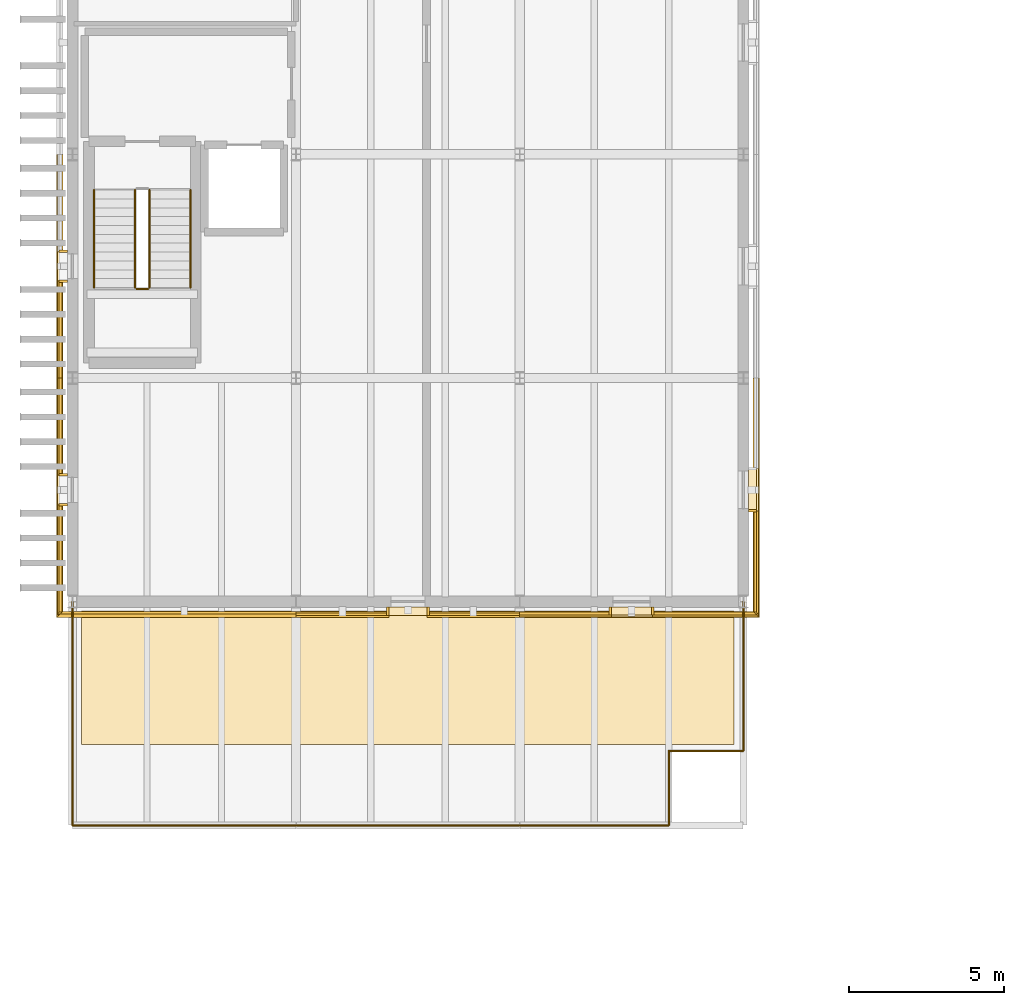
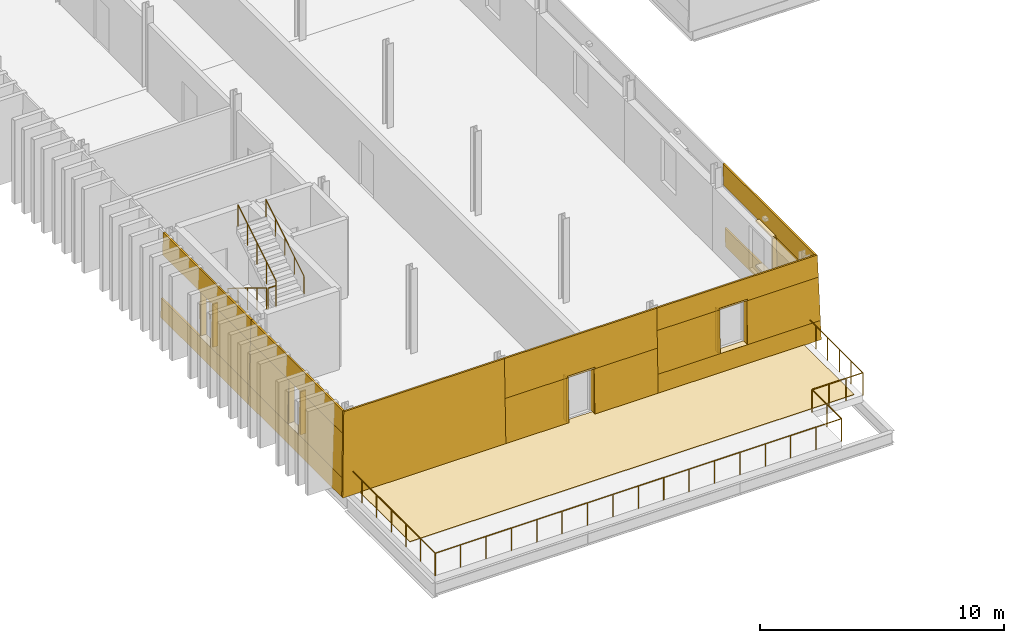
# One storey, part 57 of 66: 35 coverings, 10 railings.
"""IFC4 building model written with IfcOpenShell, lengths in metres."""

from ifc_helpers import new_model, si_unit, direction, frame, origin, origin_2d, place, context, subcontext, project, spatial, polyline, circle, outline, extrude, material, layer, layer_set, type_object, element, save


model = new_model("IFC4")

# Units and contexts
model_context = context("Model", 3, precision=1e-05, world=origin(), true_north=direction((0.0, 1.0)))
body_context = subcontext(model_context, "Body", "Model", "MODEL_VIEW")
ifc_project = project(units=[si_unit("LENGTHUNIT", "METRE"), si_unit("AREAUNIT", "SQUARE_METRE"), si_unit("VOLUMEUNIT", "CUBIC_METRE"), si_unit("PLANEANGLEUNIT", "RADIAN"), si_unit("MASSUNIT", "GRAM", prefix="KILO")], contexts=[model_context])

# Site, building, storey
site_placement = place(None, origin())
site = spatial("IfcSite", under=ifc_project, at=site_placement, CompositionType="ELEMENT")
building_placement = place(site_placement, origin())
building = spatial("IfcBuilding", under=site, at=building_placement, Name="Narikvali Park Central Library", CompositionType="ELEMENT")
storey_placement = place(building_placement, frame((0.0, 0.0, 18.60009765625)))
storey = spatial("IfcBuildingStorey", under=building, at=storey_placement, Name="L04", CompositionType="ELEMENT", Elevation=18.60009765625)

# Coverings
ifc_material_1 = material(Name="White Honed Limestone Cladding", Category="masonry")
ifc_layer_1 = layer(ifc_material_1, 0.0849609375, Name="White Honed Limestone Cladding")
ifc_layer_set_1 = layer_set([ifc_layer_1], Name="White Honed Limestone Cladding")
covering_type_1 = type_object("IfcCoveringType", Name="Battered White Limestone Facade Cladding Panel", PredefinedType="CLADDING", material=ifc_layer_set_1)
covering_1_placement = place(storey_placement, frame((-0.51220703125, 35.48779296875, 0.0), z_axis=(0.0, -0.99959954049, 0.028297679255), x_axis=(1.0, 0.0, 0.0)))
element("IfcCovering", 1, at=covering_1_placement, inside=storey, type_object=covering_type_1, Name="V5 L04 S Battered Limestone Panel B01", PredefinedType="CLADDING", context=body_context, shape_type="SweptSolid", body=[
    extrude(outline(polyline([(0.0, 0.0), (7.712158203125, 0.0), (7.712158203125, 4.201633756068099), (0.118896484375, 4.201633756068099), (0.0, 0.0)])), origin(), (0.0, 0.0, -1.0), 0.0849609375),
])
for number, where, z_axis, x_axis, name in (
    (2, (7.199951171875, 35.48779296875, 0.0), (0.0, -0.999598724093, 0.028326503353), (1.0, 0.0, 0.0), "V5 L04 S Battered Portal Pier L B02"),
    (3, (11.409912109375, 35.48779296875, 0.0), (0.0, -0.999598724093, 0.028326503353), (1.0, 0.0, 0.0), "V5 L04 S Battered Portal Pier R B02"),
):
    element("IfcCovering", number, at=place(storey_placement, frame(where, z_axis=z_axis, x_axis=x_axis)), inside=storey, type_object=covering_type_1, Name=name, PredefinedType="CLADDING", context=body_context, shape_type="SweptSolid", body=[
        extrude(outline(polyline([(0.0, 0.0), (2.989990234375, 0.0), (2.989990234375, 2.2408894493218945), (0.0, 2.2408894493218945), (0.0, 0.0)])), origin(), (0.0, 0.0, -1.0), 0.0849609375),
    ])
covering_2_placement = place(storey_placement, frame((7.199951171875, 35.55126953125, 2.239990234375), z_axis=(0.0, -0.999600472515, 0.028264736829), x_axis=(1.0, 0.0, 0.0)))
element("IfcCovering", 4, at=covering_2_placement, inside=storey, type_object=covering_type_1, Name="V5 L04 S Battered Portal Header B02", PredefinedType="CLADDING", context=body_context, shape_type="SweptSolid", body=[
    extrude(outline(polyline([(0.0, 0.0), (7.199951171875, 0.0), (7.199951171875, 1.9607443087426035), (0.0, 1.9607443087426035), (0.0, 0.0)])), origin(), (0.0, 0.0, -1.0), 0.0849609375),
])
covering_3_placement = place(storey_placement, frame((14.39990234375, 35.48779296875, 0.0), z_axis=(0.0, -0.999600632529, 0.02825907725), x_axis=(1.0, 0.0, 0.0)))
element("IfcCovering", 5, at=covering_3_placement, inside=storey, type_object=covering_type_1, Name="V5 L04 S Battered Limestone Spandrel B03", PredefinedType="CLADDING", context=body_context, shape_type="SweptSolid", body=[
    extrude(outline(polyline([(0.0, 0.0), (7.71240234375, 0.0), (7.685546875, 0.950330703044192), (0.0, 0.950330703044192), (0.0, 0.0)])), origin(), (0.0, 0.0, -1.0), 0.0849609375),
])
covering_4_placement = place(storey_placement, frame((14.39990234375, 35.57568359375, 3.099853515625), z_axis=(0.0, -0.999603049438, 0.028173454789), x_axis=(1.0, 0.0, 0.0)))
element("IfcCovering", 6, at=covering_4_placement, inside=storey, type_object=covering_type_1, Name="V5 L04 S Battered Limestone Lintel B03", PredefinedType="CLADDING", context=body_context, shape_type="SweptSolid", body=[
    extrude(outline(polyline([(0.0, 0.0), (7.62451171875, 0.0), (7.59326171875, 1.1005345140441192), (0.0, 1.1005345140441192), (0.0, 0.0)])), origin(), (0.0, 0.0, -1.0), 0.0849609375),
])
covering_5_placement = place(storey_placement, frame((14.39990234375, 35.5146484375, 0.949951171875), z_axis=(0.0, -0.99959725493, 0.028378300447), x_axis=(1.0, 0.0, 0.0)))
element("IfcCovering", 7, at=covering_5_placement, inside=storey, type_object=covering_type_1, Name="V5 L04 S Battered Limestone Jamb Pier L B03", PredefinedType="CLADDING", context=body_context, shape_type="SweptSolid", body=[
    extrude(outline(polyline([(0.0, 0.0), (2.960205078125, 0.0), (2.960205078125, 2.150768555182125), (0.0, 2.150768555182125), (0.0, 0.0)])), origin(), (0.0, 0.0, -1.0), 0.0849609375),
])
covering_6_placement = place(storey_placement, frame((18.639892578125, 35.5146484375, 0.949951171875), z_axis=(0.0, -0.99959725493, 0.028378300447), x_axis=(1.0, 0.0, 0.0)))
element("IfcCovering", 8, at=covering_6_placement, inside=storey, type_object=covering_type_1, Name="V5 L04 S Battered Limestone Jamb Pier R B03", PredefinedType="CLADDING", context=body_context, shape_type="SweptSolid", body=[
    extrude(outline(polyline([(0.0, 0.0), (3.445556640625, 0.0), (3.384521484375, 2.150768555182125), (0.0, 2.150768555182125), (0.0, 0.0)])), origin(), (0.0, 0.0, -1.0), 0.0849609375),
])
covering_7_placement = place(storey_placement, frame((22.1123046875, 35.57275390625, 0.0), z_axis=(0.999600632529, 0.0, 0.02825907725), x_axis=(0.0, 1.0, 0.0)))
element("IfcCovering", 9, at=covering_7_placement, inside=storey, type_object=covering_type_1, Name="V5 L04 E Battered Limestone Spandrel B01", PredefinedType="CLADDING", context=body_context, shape_type="SweptSolid", body=[
    extrude(outline(polyline([(0.0, 0.0), (7.627197265625, 0.0), (7.627197265625, 0.950330703044192), (0.02685546875, 0.950330703044192), (0.0, 0.0)])), origin(), (0.0, 0.0, -1.0), 0.0849609375),
])
covering_8_placement = place(storey_placement, frame((22.0244140625, 35.66064453125, 3.099853515625), z_axis=(0.999596777432, 0.0, 0.028395114849), x_axis=(0.0, 1.0, 0.0)))
element("IfcCovering", 10, at=covering_8_placement, inside=storey, type_object=covering_type_1, Name="V5 L04 E Battered Limestone Lintel B01", PredefinedType="CLADDING", context=body_context, shape_type="SweptSolid", body=[
    extrude(outline(polyline([(0.0, 0.0), (7.539306640625, 0.0), (7.539306640625, 1.1005414193871774), (0.03125, 1.1005414193871774), (0.0, 0.0)])), origin(), (0.0, 0.0, -1.0), 0.0849609375),
])
covering_9_placement = place(storey_placement, frame((22.08544921875, 35.599609375, 0.949951171875), z_axis=(0.99959725493, 0.0, 0.028378300447), x_axis=(0.0, 1.0, 0.0)))
element("IfcCovering", 11, at=covering_9_placement, inside=storey, type_object=covering_type_1, Name="V5 L04 E Battered Limestone Jamb Pier L B01", PredefinedType="CLADDING", context=body_context, shape_type="SweptSolid", body=[
    extrude(outline(polyline([(0.0, 0.0), (3.3603515625, 0.0), (3.3603515625, 2.150768555182125), (0.06103515625, 2.150768555182125), (0.0, 0.0)])), origin(), (0.0, 0.0, -1.0), 0.0849609375),
])
covering_10_placement = place(storey_placement, frame((-0.51220703125, 50.39990234375, 0.0), z_axis=(-0.999600632529, 0.0, 0.02825907725), x_axis=(0.0, -1.0, 0.0)))
element("IfcCovering", 12, at=covering_10_placement, inside=storey, type_object=covering_type_1, Name="V5 L04 W Battered Limestone Spandrel B09", PredefinedType="CLADDING", context=body_context, shape_type="SweptSolid", body=[
    extrude(outline(polyline([(0.0, 0.0), (7.199951171875, 0.0), (7.199951171875, 0.9503307030441919), (0.0, 0.9503307030441919), (0.0, 0.0)])), origin(), (0.0, 0.0, -1.0), 0.0849609375),
])
covering_11_placement = place(storey_placement, frame((-0.42431640625, 50.39990234375, 3.099853515625), z_axis=(-0.999603049438, 0.0, 0.028173454789), x_axis=(0.0, -1.0, 0.0)))
element("IfcCovering", 13, at=covering_11_placement, inside=storey, type_object=covering_type_1, Name="V5 L04 W Battered Limestone Lintel B09", PredefinedType="CLADDING", context=body_context, shape_type="SweptSolid", body=[
    extrude(outline(polyline([(0.0, 0.0), (7.199951171875, 0.0), (7.199951171875, 1.1005345140441192), (0.0, 1.1005345140441192), (0.0, 0.0)])), origin(), (0.0, 0.0, -1.0), 0.0849609375),
])
covering_12_placement = place(storey_placement, frame((-0.4853515625, 46.360107421875, 0.949951171875), z_axis=(-0.99959725493, 0.0, 0.028378300447), x_axis=(0.0, -1.0, 0.0)))
element("IfcCovering", 14, at=covering_12_placement, inside=storey, type_object=covering_type_1, Name="V5 L04 W Battered Limestone Jamb Pier R B09", PredefinedType="CLADDING", context=body_context, shape_type="SweptSolid", body=[
    extrude(outline(polyline([(0.0, 0.0), (3.16015625, 0.0), (3.16015625, 2.150768555182125), (0.0, 2.150768555182125), (0.0, 0.0)])), origin(), (0.0, 0.0, -1.0), 0.0849609375),
])
covering_13_placement = place(storey_placement, frame((-0.51220703125, 43.199951171875, 0.0), z_axis=(-0.999600632529, 0.0, 0.02825907725), x_axis=(0.0, -1.0, 0.0)))
element("IfcCovering", 15, at=covering_13_placement, inside=storey, type_object=covering_type_1, Name="V5 L04 W Battered Limestone Spandrel B10", PredefinedType="CLADDING", context=body_context, shape_type="SweptSolid", body=[
    extrude(outline(polyline([(0.0, 0.0), (7.627197265625, 0.0), (7.600341796875, 0.950330703044192), (0.0, 0.950330703044192), (0.0, 0.0)])), origin(), (0.0, 0.0, -1.0), 0.0849609375),
])
covering_14_placement = place(storey_placement, frame((-0.42431640625, 43.199951171875, 3.099853515625), z_axis=(-0.999603049438, 0.0, 0.028173454789), x_axis=(0.0, -1.0, 0.0)))
element("IfcCovering", 16, at=covering_14_placement, inside=storey, type_object=covering_type_1, Name="V5 L04 W Battered Limestone Lintel B10", PredefinedType="CLADDING", context=body_context, shape_type="SweptSolid", body=[
    extrude(outline(polyline([(0.0, 0.0), (7.539306640625, 0.0), (7.508056640625, 1.1005345140441192), (0.0, 1.1005345140441192), (0.0, 0.0)])), origin(), (0.0, 0.0, -1.0), 0.0849609375),
])
covering_15_placement = place(storey_placement, frame((-0.4853515625, 43.199951171875, 0.949951171875), z_axis=(-0.99959725493, 0.0, 0.028378300447), x_axis=(0.0, -1.0, 0.0)))
element("IfcCovering", 17, at=covering_15_placement, inside=storey, type_object=covering_type_1, Name="V5 L04 W Battered Limestone Jamb Pier L B10", PredefinedType="CLADDING", context=body_context, shape_type="SweptSolid", body=[
    extrude(outline(polyline([(0.0, 0.0), (3.159912109375, 0.0), (3.159912109375, 2.150768555182125), (0.0, 2.150768555182125), (0.0, 0.0)])), origin(), (0.0, 0.0, -1.0), 0.0849609375),
])
covering_16_placement = place(storey_placement, frame((-0.4853515625, 39.159912109375, 0.949951171875), z_axis=(-0.99959725493, 0.0, 0.028378300447), x_axis=(0.0, -1.0, 0.0)))
element("IfcCovering", 18, at=covering_16_placement, inside=storey, type_object=covering_type_1, Name="V5 L04 W Battered Limestone Jamb Pier R B10", PredefinedType="CLADDING", context=body_context, shape_type="SweptSolid", body=[
    extrude(outline(polyline([(0.0, 0.0), (3.560302734375, 0.0), (3.499267578125, 2.150768555182125), (0.0, 2.150768555182125), (0.0, 0.0)])), origin(), (0.0, 0.0, -1.0), 0.0849609375),
])
ifc_layer_2 = layer(ifc_material_1, 0.080078125, Name="White Honed Limestone Cladding")
ifc_layer_set_2 = layer_set([ifc_layer_2], Name="White Honed Limestone Cladding")
covering_type_2 = type_object("IfcCoveringType", Name="Deep Carved White Limestone Window Reveal", PredefinedType="CLADDING", material=ifc_layer_set_2)
covering_17_placement = place(storey_placement, frame((0.0, 0.0, 2.239990234375)))
element("IfcCovering", 19, at=covering_17_placement, inside=storey, type_object=covering_type_2, Name="Deep Stone Reveal Head V5-RVL-L04-S-B02", PredefinedType="CLADDING", context=body_context, shape_type="SweptSolid", body=[
    extrude(outline(polyline([(10.14990234375, 35.8349609375), (11.449951171875, 35.8349609375), (11.449951171875, 35.55126953125), (10.14990234375, 35.55126953125), (10.14990234375, 35.8349609375)])), origin(), (0.0, 0.0, 1.0), 0.079833984375),
])
covering_18_placement = place(storey_placement, frame((0.0, 0.0, 0.02001953125)))
element("IfcCovering", 20, at=covering_18_placement, inside=storey, type_object=covering_type_2, Name="Deep Stone Reveal Jamb L V5-RVL-L04-S-B02", PredefinedType="CLADDING", context=body_context, shape_type="SweptSolid", body=[
    extrude(outline(polyline([(10.110107421875, 35.8349609375), (10.18994140625, 35.8349609375), (10.18994140625, 35.55126953125), (10.110107421875, 35.55126953125), (10.110107421875, 35.8349609375)])), origin(), (0.0, 0.0, 1.0), 2.219970703125),
])
covering_19_placement = place(storey_placement, frame((0.0, 0.0, 0.02001953125)))
element("IfcCovering", 21, at=covering_19_placement, inside=storey, type_object=covering_type_2, Name="Deep Stone Reveal Jamb R V5-RVL-L04-S-B02", PredefinedType="CLADDING", context=body_context, shape_type="SweptSolid", body=[
    extrude(outline(polyline([(11.409912109375, 35.8349609375), (11.489990234375, 35.8349609375), (11.489990234375, 35.55126953125), (11.409912109375, 35.55126953125), (11.409912109375, 35.8349609375)])), origin(), (0.0, 0.0, 1.0), 2.219970703125),
])
covering_20_placement = place(storey_placement, frame((0.0, 0.0, 3.099853515625)))
element("IfcCovering", 22, at=covering_20_placement, inside=storey, type_object=covering_type_2, Name="Deep Stone Reveal Head V5-RVL-L04-S-B03", PredefinedType="CLADDING", context=body_context, shape_type="SweptSolid", body=[
    extrude(outline(polyline([(17.320068359375, 35.8349609375), (18.679931640625, 35.8349609375), (18.679931640625, 35.57568359375), (17.320068359375, 35.57568359375), (17.320068359375, 35.8349609375)])), origin(), (0.0, 0.0, 1.0), 0.080078125),
])
covering_21_placement = place(storey_placement, frame((0.0, 0.0, 0.869873046875)))
element("IfcCovering", 23, at=covering_21_placement, inside=storey, type_object=covering_type_2, Name="Deep Stone Reveal Sill V5-RVL-L04-S-B03", PredefinedType="CLADDING", context=body_context, shape_type="SweptSolid", body=[
    extrude(outline(polyline([(17.320068359375, 35.8349609375), (18.679931640625, 35.8349609375), (18.679931640625, 35.5146484375), (17.320068359375, 35.5146484375), (17.320068359375, 35.8349609375)])), origin(), (0.0, 0.0, 1.0), 0.080078125),
])
covering_22_placement = place(storey_placement, frame((0.0, 0.0, 0.949951171875)))
element("IfcCovering", 24, at=covering_22_placement, inside=storey, type_object=covering_type_2, Name="Deep Stone Reveal Jamb L V5-RVL-L04-S-B03", PredefinedType="CLADDING", context=body_context, shape_type="SweptSolid", body=[
    extrude(outline(polyline([(17.280029296875, 35.8349609375), (17.360107421875, 35.8349609375), (17.360107421875, 35.57568359375), (17.280029296875, 35.57568359375), (17.280029296875, 35.8349609375)])), origin(), (0.0, 0.0, 1.0), 2.14990234375),
])
covering_23_placement = place(storey_placement, frame((0.0, 0.0, 0.949951171875)))
element("IfcCovering", 25, at=covering_23_placement, inside=storey, type_object=covering_type_2, Name="Deep Stone Reveal Jamb R V5-RVL-L04-S-B03", PredefinedType="CLADDING", context=body_context, shape_type="SweptSolid", body=[
    extrude(outline(polyline([(18.639892578125, 35.8349609375), (18.719970703125, 35.8349609375), (18.719970703125, 35.57568359375), (18.639892578125, 35.57568359375), (18.639892578125, 35.8349609375)])), origin(), (0.0, 0.0, 1.0), 2.14990234375),
])
covering_24_placement = place(storey_placement, frame((0.0, 0.0, 3.099853515625)))
element("IfcCovering", 26, at=covering_24_placement, inside=storey, type_object=covering_type_2, Name="Deep Stone Reveal Head V5-RVL-L04-E-B01", PredefinedType="CLADDING", context=body_context, shape_type="SweptSolid", body=[
    extrude(outline(polyline([(21.764892578125, 38.919921875), (21.764892578125, 40.280029296875), (22.0244140625, 40.280029296875), (22.0244140625, 38.919921875), (21.764892578125, 38.919921875)])), origin(), (0.0, 0.0, 1.0), 0.080078125),
])
covering_25_placement = place(storey_placement, frame((0.0, 0.0, 0.869873046875)))
element("IfcCovering", 27, at=covering_25_placement, inside=storey, type_object=covering_type_2, Name="Deep Stone Reveal Sill V5-RVL-L04-E-B01", PredefinedType="CLADDING", context=body_context, shape_type="SweptSolid", body=[
    extrude(outline(polyline([(21.764892578125, 38.919921875), (21.764892578125, 40.280029296875), (22.08544921875, 40.280029296875), (22.08544921875, 38.919921875), (21.764892578125, 38.919921875)])), origin(), (0.0, 0.0, 1.0), 0.080078125),
])
covering_26_placement = place(storey_placement, frame((0.0, 0.0, 0.949951171875)))
element("IfcCovering", 28, at=covering_26_placement, inside=storey, type_object=covering_type_2, Name="Deep Stone Reveal Jamb L V5-RVL-L04-E-B01", PredefinedType="CLADDING", context=body_context, shape_type="SweptSolid", body=[
    extrude(outline(polyline([(21.764892578125, 38.8798828125), (21.764892578125, 38.9599609375), (22.0244140625, 38.9599609375), (22.0244140625, 38.8798828125), (21.764892578125, 38.8798828125)])), origin(), (0.0, 0.0, 1.0), 2.14990234375),
])
covering_27_placement = place(storey_placement, frame((0.0, 0.0, 0.869873046875)))
element("IfcCovering", 29, at=covering_27_placement, inside=storey, type_object=covering_type_2, Name="Deep Stone Reveal Sill V5-RVL-L04-W-B09", PredefinedType="CLADDING", context=body_context, shape_type="SweptSolid", body=[
    extrude(outline(polyline([(-0.1650390625, 47.280029296875), (-0.1650390625, 46.320068359375), (-0.4853515625, 46.320068359375), (-0.4853515625, 47.280029296875), (-0.1650390625, 47.280029296875)])), origin(), (0.0, 0.0, 1.0), 0.080078125),
])
covering_28_placement = place(storey_placement, frame((0.0, 0.0, 0.949951171875)))
element("IfcCovering", 30, at=covering_28_placement, inside=storey, type_object=covering_type_2, Name="Deep Stone Reveal Jamb L V5-RVL-L04-W-B09", PredefinedType="CLADDING", context=body_context, shape_type="SweptSolid", body=[
    extrude(outline(polyline([(-0.1650390625, 47.320068359375), (-0.1650390625, 47.239990234375), (-0.42431640625, 47.239990234375), (-0.42431640625, 47.320068359375), (-0.1650390625, 47.320068359375)])), origin(), (0.0, 0.0, 1.0), 2.14990234375),
])
covering_29_placement = place(storey_placement, frame((0.0, 0.0, 0.949951171875)))
element("IfcCovering", 31, at=covering_29_placement, inside=storey, type_object=covering_type_2, Name="Deep Stone Reveal Jamb R V5-RVL-L04-W-B09", PredefinedType="CLADDING", context=body_context, shape_type="SweptSolid", body=[
    extrude(outline(polyline([(-0.1650390625, 46.360107421875), (-0.1650390625, 46.280029296875), (-0.42431640625, 46.280029296875), (-0.42431640625, 46.360107421875), (-0.1650390625, 46.360107421875)])), origin(), (0.0, 0.0, 1.0), 2.14990234375),
])
covering_30_placement = place(storey_placement, frame((0.0, 0.0, 0.869873046875)))
element("IfcCovering", 32, at=covering_30_placement, inside=storey, type_object=covering_type_2, Name="Deep Stone Reveal Sill V5-RVL-L04-W-B10", PredefinedType="CLADDING", context=body_context, shape_type="SweptSolid", body=[
    extrude(outline(polyline([(-0.1650390625, 40.080078125), (-0.1650390625, 39.1201171875), (-0.4853515625, 39.1201171875), (-0.4853515625, 40.080078125), (-0.1650390625, 40.080078125)])), origin(), (0.0, 0.0, 1.0), 0.080078125),
])
covering_31_placement = place(storey_placement, frame((0.0, 0.0, 0.949951171875)))
element("IfcCovering", 33, at=covering_31_placement, inside=storey, type_object=covering_type_2, Name="Deep Stone Reveal Jamb L V5-RVL-L04-W-B10", PredefinedType="CLADDING", context=body_context, shape_type="SweptSolid", body=[
    extrude(outline(polyline([(-0.1650390625, 40.1201171875), (-0.1650390625, 40.0400390625), (-0.42431640625, 40.0400390625), (-0.42431640625, 40.1201171875), (-0.1650390625, 40.1201171875)])), origin(), (0.0, 0.0, 1.0), 2.14990234375),
])
covering_32_placement = place(storey_placement, frame((0.0, 0.0, 0.949951171875)))
element("IfcCovering", 34, at=covering_32_placement, inside=storey, type_object=covering_type_2, Name="Deep Stone Reveal Jamb R V5-RVL-L04-W-B10", PredefinedType="CLADDING", context=body_context, shape_type="SweptSolid", body=[
    extrude(outline(polyline([(-0.1650390625, 39.159912109375), (-0.1650390625, 39.080078125), (-0.42431640625, 39.080078125), (-0.42431640625, 39.159912109375), (-0.1650390625, 39.159912109375)])), origin(), (0.0, 0.0, 1.0), 2.14990234375),
])
ifc_material_2 = material(Name="Root-Resistant EPDM Waterproofing Membrane")
ifc_layer_3 = layer(ifc_material_2, 0.02490234375, Name="Root-Resistant EPDM Waterproofing Membrane")
ifc_layer_set_3 = layer_set([ifc_layer_3], Name="Root-Resistant EPDM Waterproofing Membrane")
covering_type_3 = type_object("IfcCoveringType", Name="Planted Roof Waterproofing Membrane", PredefinedType="MEMBRANE", material=ifc_layer_set_3)
covering_33_placement = place(storey_placement, origin())
element("IfcCovering", 35, at=covering_33_placement, inside=storey, type_object=covering_type_3, Name="V5 L04 Terrace EPDM Membrane", PredefinedType="MEMBRANE", context=body_context, shape_type="SweptSolid", body=[
    extrude(outline(polyline([(0.300048828125, 31.39990234375), (21.300048828125, 31.39990234375), (21.300048828125, 35.699951171875), (0.300048828125, 35.699951171875), (0.300048828125, 31.39990234375)])), origin(), (0.0, 0.0, 1.0), 0.02490234375),
])

# Railings
ifc_material_3 = material(Name="Brushed Stainless Steel S355", Category="steel")
ifc_layer_4 = layer(ifc_material_3, 0.044921875, Name="Brushed Stainless Steel S355")
ifc_layer_set_4 = layer_set([ifc_layer_4], Name="Brushed Stainless Steel S355")
railing_type_1 = type_object("IfcRailingType", Name="Stair Tubular Steel Handrail 900", PredefinedType="HANDRAIL", material=ifc_layer_set_4)
railing_1_placement = place(storey_placement, frame((0.699951171875, 49.25, 0.1748046875)))
element("IfcRailing", 36, at=railing_1_placement, inside=storey, type_object=railing_type_1, Name="L04 ST-09 stair handrail 1", PredefinedType="HANDRAIL", context=body_context, shape_type="SweptSolid", body=[
    extrude(circle(Radius=0.02392578125, at=origin_2d()), frame((0.0, 0.0, 0.8759765625), z_axis=(0.0, -0.852166034122, 0.523271488128), x_axis=(1.0, 0.0, 0.0)), (0.0, 0.0, 1.0), 3.678955078125),
    extrude(circle(Radius=0.02099609375, at=origin_2d()), origin(), (0.0, 0.0, 1.0), 0.851806640625),
    extrude(circle(Radius=0.02099609375, at=origin_2d()), frame((0.0, -0.78369140625, 0.481201171875)), (0.0, 0.0, 1.0), 0.851806640625),
    extrude(circle(Radius=0.02099609375, at=origin_2d()), frame((0.0, -1.5673828125, 0.96240234375)), (0.0, 0.0, 1.0), 0.851806640625),
    extrude(circle(Radius=0.02099609375, at=origin_2d()), frame((0.0, -2.351318359375, 1.44384765625)), (0.0, 0.0, 1.0), 0.851806640625),
    extrude(circle(Radius=0.02099609375, at=origin_2d()), frame((0.0, -3.135009765625, 1.925048828125)), (0.0, 0.0, 1.0), 0.851806640625),
])
railing_2_placement = place(storey_placement, frame((3.800048828125, 46.114990234375, 2.27490234375)))
element("IfcRailing", 37, at=railing_2_placement, inside=storey, type_object=railing_type_1, Name="L04 ST-09 stair handrail 2", PredefinedType="HANDRAIL", context=body_context, shape_type="SweptSolid", body=[
    extrude(circle(Radius=0.02392578125, at=origin_2d()), frame((0.0, 0.0, 0.8759765625), z_axis=(0.0, 0.852166034122, 0.523271488128), x_axis=(-1.0, 0.0, 0.0)), (0.0, 0.0, 1.0), 3.678955078125),
    extrude(circle(Radius=0.02099609375, at=origin_2d()), origin(), (0.0, 0.0, 1.0), 0.851806640625),
    extrude(circle(Radius=0.02099609375, at=origin_2d()), frame((0.0, 0.78369140625, 0.481201171875)), (0.0, 0.0, 1.0), 0.851806640625),
    extrude(circle(Radius=0.02099609375, at=origin_2d()), frame((0.0, 1.5673828125, 0.96240234375)), (0.0, 0.0, 1.0), 0.851806640625),
    extrude(circle(Radius=0.02099609375, at=origin_2d()), frame((0.0, 2.351318359375, 1.44384765625)), (0.0, 0.0, 1.0), 0.851806640625),
    extrude(circle(Radius=0.02099609375, at=origin_2d()), frame((0.0, 3.135009765625, 1.925048828125)), (0.0, 0.0, 1.0), 0.851806640625),
])
ifc_material_4 = material(Name="Powder-Coated Steel S275", Category="steel")
ifc_layer_5 = layer(ifc_material_4, 0.050048828125, Name="Powder-Coated Steel S275")
ifc_layer_set_5 = layer_set([ifc_layer_5], Name="Powder-Coated Steel S275")
railing_type_2 = type_object("IfcRailingType", Name="Stair Well Steel Guardrail 1100", PredefinedType="GUARDRAIL", material=ifc_layer_set_5)
railing_3_placement = place(storey_placement, frame((2.02001953125, 49.25, 0.1748046875)))
element("IfcRailing", 38, at=railing_3_placement, inside=storey, type_object=railing_type_2, Name="L04 ST-09 stair guard 1", PredefinedType="GUARDRAIL", context=body_context, shape_type="SweptSolid", body=[
    extrude(circle(Radius=0.02392578125, at=origin_2d()), frame((0.0, 0.0, 1.076171875), z_axis=(0.0, -0.852166034122, 0.523271488128), x_axis=(1.0, 0.0, 0.0)), (0.0, 0.0, 1.0), 3.678955078125),
    extrude(circle(Radius=0.02099609375, at=origin_2d()), origin(), (0.0, 0.0, 1.0), 1.052001953125),
    extrude(circle(Radius=0.02099609375, at=origin_2d()), frame((0.0, -0.78369140625, 0.481201171875)), (0.0, 0.0, 1.0), 1.052001953125),
    extrude(circle(Radius=0.02099609375, at=origin_2d()), frame((0.0, -1.5673828125, 0.96240234375)), (0.0, 0.0, 1.0), 1.052001953125),
    extrude(circle(Radius=0.02099609375, at=origin_2d()), frame((0.0, -2.351318359375, 1.44384765625)), (0.0, 0.0, 1.0), 1.052001953125),
    extrude(circle(Radius=0.02099609375, at=origin_2d()), frame((0.0, -3.135009765625, 1.925048828125)), (0.0, 0.0, 1.0), 1.052001953125),
])
railing_4_placement = place(storey_placement, frame((2.070068359375, 46.06494140625, 2.099853515625)))
element("IfcRailing", 39, at=railing_4_placement, inside=storey, type_object=railing_type_2, Name="L04 ST-09 stair guard 2", PredefinedType="GUARDRAIL", context=body_context, shape_type="SweptSolid", body=[
    extrude(circle(Radius=0.02392578125, at=origin_2d()), frame((0.0, 0.0, 1.076171875), z_axis=(1.0, 0.0, 0.0), x_axis=(0.0, 1.0, 0.0)), (0.0, 0.0, 1.0), 0.35986328125),
    extrude(circle(Radius=0.02099609375, at=origin_2d()), origin(), (0.0, 0.0, 1.0), 1.052001953125),
    extrude(circle(Radius=0.02099609375, at=origin_2d()), frame((0.35986328125, 0.0, 0.0)), (0.0, 0.0, 1.0), 1.052001953125),
])
railing_5_placement = place(storey_placement, frame((2.47998046875, 46.114990234375, 2.27490234375)))
element("IfcRailing", 40, at=railing_5_placement, inside=storey, type_object=railing_type_2, Name="L04 ST-09 stair guard 3", PredefinedType="GUARDRAIL", context=body_context, shape_type="SweptSolid", body=[
    extrude(circle(Radius=0.02392578125, at=origin_2d()), frame((0.0, 0.0, 1.076171875), z_axis=(0.0, 0.852166034122, 0.523271488128), x_axis=(-1.0, 0.0, 0.0)), (0.0, 0.0, 1.0), 3.678955078125),
    extrude(circle(Radius=0.02099609375, at=origin_2d()), origin(), (0.0, 0.0, 1.0), 1.052001953125),
    extrude(circle(Radius=0.02099609375, at=origin_2d()), frame((0.0, 0.78369140625, 0.481201171875)), (0.0, 0.0, 1.0), 1.052001953125),
    extrude(circle(Radius=0.02099609375, at=origin_2d()), frame((0.0, 1.5673828125, 0.96240234375)), (0.0, 0.0, 1.0), 1.052001953125),
    extrude(circle(Radius=0.02099609375, at=origin_2d()), frame((0.0, 2.351318359375, 1.44384765625)), (0.0, 0.0, 1.0), 1.052001953125),
    extrude(circle(Radius=0.02099609375, at=origin_2d()), frame((0.0, 3.135009765625, 1.925048828125)), (0.0, 0.0, 1.0), 1.052001953125),
])
ifc_material_5 = material(Name="Anodised Bronze and White Limestone", Category="masonry")
ifc_layer_6 = layer(ifc_material_5, 0.080078125, Name="Anodised Bronze and White Limestone")
ifc_layer_set_6 = layer_set([ifc_layer_6], Name="Anodised Bronze and White Limestone")
railing_type_3 = type_object("IfcRailingType", Name="Terrace Stone and Bronze Balustrade 1150", PredefinedType="BALUSTRADE", material=ifc_layer_set_6)
railing_6_placement = place(storey_placement, frame((0.0, 28.800048828125, 0.0)))
element("IfcRailing", 41, at=railing_6_placement, inside=storey, type_object=railing_type_3, Name="V5 L04 Roof Garden Balustrade 1", PredefinedType="BALUSTRADE", context=body_context, shape_type="SweptSolid", body=[
    extrude(circle(Radius=0.02392578125, at=origin_2d()), frame((0.0, 0.0, 1.1259765625), z_axis=(1.0, 0.0, 0.0), x_axis=(0.0, 1.0, 0.0)), (0.0, 0.0, 1.0), 19.199951171875),
    extrude(circle(Radius=0.02099609375, at=origin_2d()), origin(), (0.0, 0.0, 1.0), 1.101806640625),
    extrude(circle(Radius=0.02099609375, at=origin_2d()), frame((1.199951171875, 0.0, 0.0)), (0.0, 0.0, 1.0), 1.101806640625),
    extrude(circle(Radius=0.02099609375, at=origin_2d()), frame((2.39990234375, 0.0, 0.0)), (0.0, 0.0, 1.0), 1.101806640625),
    extrude(circle(Radius=0.02099609375, at=origin_2d()), frame((3.60009765625, 0.0, 0.0)), (0.0, 0.0, 1.0), 1.101806640625),
    extrude(circle(Radius=0.02099609375, at=origin_2d()), frame((4.800048828125, 0.0, 0.0)), (0.0, 0.0, 1.0), 1.101806640625),
    extrude(circle(Radius=0.02099609375, at=origin_2d()), frame((6.0, 0.0, 0.0)), (0.0, 0.0, 1.0), 1.101806640625),
    extrude(circle(Radius=0.02099609375, at=origin_2d()), frame((7.199951171875, 0.0, 0.0)), (0.0, 0.0, 1.0), 1.101806640625),
    extrude(circle(Radius=0.02099609375, at=origin_2d()), frame((8.39990234375, 0.0, 0.0)), (0.0, 0.0, 1.0), 1.101806640625),
    extrude(circle(Radius=0.02099609375, at=origin_2d()), frame((9.60009765625, 0.0, 0.0)), (0.0, 0.0, 1.0), 1.101806640625),
    extrude(circle(Radius=0.02099609375, at=origin_2d()), frame((10.800048828125, 0.0, 0.0)), (0.0, 0.0, 1.0), 1.101806640625),
    extrude(circle(Radius=0.02099609375, at=origin_2d()), frame((12.0, 0.0, 0.0)), (0.0, 0.0, 1.0), 1.101806640625),
    extrude(circle(Radius=0.02099609375, at=origin_2d()), frame((13.199951171875, 0.0, 0.0)), (0.0, 0.0, 1.0), 1.101806640625),
    extrude(circle(Radius=0.02099609375, at=origin_2d()), frame((14.39990234375, 0.0, 0.0)), (0.0, 0.0, 1.0), 1.101806640625),
    extrude(circle(Radius=0.02099609375, at=origin_2d()), frame((15.599853515625, 0.0, 0.0)), (0.0, 0.0, 1.0), 1.101806640625),
    extrude(circle(Radius=0.02099609375, at=origin_2d()), frame((16.800048828125, 0.0, 0.0)), (0.0, 0.0, 1.0), 1.101806640625),
    extrude(circle(Radius=0.02099609375, at=origin_2d()), frame((18.0, 0.0, 0.0)), (0.0, 0.0, 1.0), 1.101806640625),
    extrude(circle(Radius=0.02099609375, at=origin_2d()), frame((19.199951171875, 0.0, 0.0)), (0.0, 0.0, 1.0), 1.101806640625),
])
railing_7_placement = place(storey_placement, frame((19.199951171875, 28.800048828125, 0.0)))
element("IfcRailing", 42, at=railing_7_placement, inside=storey, type_object=railing_type_3, Name="V5 L04 Roof Garden Balustrade 2", PredefinedType="BALUSTRADE", context=body_context, shape_type="SweptSolid", body=[
    extrude(circle(Radius=0.02392578125, at=origin_2d()), frame((0.0, 0.0, 1.1259765625), z_axis=(0.0, 1.0, 0.0), x_axis=(-1.0, 0.0, 0.0)), (0.0, 0.0, 1.0), 2.39990234375),
    extrude(circle(Radius=0.02099609375, at=origin_2d()), origin(), (0.0, 0.0, 1.0), 1.101806640625),
    extrude(circle(Radius=0.02099609375, at=origin_2d()), frame((0.0, 1.199951171875, 0.0)), (0.0, 0.0, 1.0), 1.101806640625),
    extrude(circle(Radius=0.02099609375, at=origin_2d()), frame((0.0, 2.39990234375, 0.0)), (0.0, 0.0, 1.0), 1.101806640625),
])
railing_8_placement = place(storey_placement, frame((19.199951171875, 31.199951171875, 0.0)))
element("IfcRailing", 43, at=railing_8_placement, inside=storey, type_object=railing_type_3, Name="V5 L04 Roof Garden Balustrade 3", PredefinedType="BALUSTRADE", context=body_context, shape_type="SweptSolid", body=[
    extrude(circle(Radius=0.02392578125, at=origin_2d()), frame((0.0, 0.0, 1.1259765625), z_axis=(1.0, 0.0, 0.0), x_axis=(0.0, 1.0, 0.0)), (0.0, 0.0, 1.0), 2.400146484375),
    extrude(circle(Radius=0.02099609375, at=origin_2d()), origin(), (0.0, 0.0, 1.0), 1.101806640625),
    extrude(circle(Radius=0.02099609375, at=origin_2d()), frame((0.800048828125, 0.0, 0.0)), (0.0, 0.0, 1.0), 1.101806640625),
    extrude(circle(Radius=0.02099609375, at=origin_2d()), frame((1.60009765625, 0.0, 0.0)), (0.0, 0.0, 1.0), 1.101806640625),
    extrude(circle(Radius=0.02099609375, at=origin_2d()), frame((2.400146484375, 0.0, 0.0)), (0.0, 0.0, 1.0), 1.101806640625),
])
railing_9_placement = place(storey_placement, frame((21.60009765625, 31.199951171875, 0.0)))
element("IfcRailing", 44, at=railing_9_placement, inside=storey, type_object=railing_type_3, Name="V5 L04 Roof Garden Balustrade 4", PredefinedType="BALUSTRADE", context=body_context, shape_type="SweptSolid", body=[
    extrude(circle(Radius=0.02392578125, at=origin_2d()), frame((0.0, 0.0, 1.1259765625), z_axis=(0.0, 1.0, 0.0), x_axis=(-1.0, 0.0, 0.0)), (0.0, 0.0, 1.0), 4.800048828125),
    extrude(circle(Radius=0.02099609375, at=origin_2d()), origin(), (0.0, 0.0, 1.0), 1.101806640625),
    extrude(circle(Radius=0.02099609375, at=origin_2d()), frame((0.0, 0.9599609375, 0.0)), (0.0, 0.0, 1.0), 1.101806640625),
    extrude(circle(Radius=0.02099609375, at=origin_2d()), frame((0.0, 1.919921875, 0.0)), (0.0, 0.0, 1.0), 1.101806640625),
    extrude(circle(Radius=0.02099609375, at=origin_2d()), frame((0.0, 2.880126953125, 0.0)), (0.0, 0.0, 1.0), 1.101806640625),
    extrude(circle(Radius=0.02099609375, at=origin_2d()), frame((0.0, 3.840087890625, 0.0)), (0.0, 0.0, 1.0), 1.101806640625),
    extrude(circle(Radius=0.02099609375, at=origin_2d()), frame((0.0, 4.800048828125, 0.0)), (0.0, 0.0, 1.0), 1.101806640625),
])
railing_10_placement = place(storey_placement, frame((0.0, 36.0, 0.0)))
element("IfcRailing", 45, at=railing_10_placement, inside=storey, type_object=railing_type_3, Name="V5 L04 Roof Garden Balustrade 6", PredefinedType="BALUSTRADE", context=body_context, shape_type="SweptSolid", body=[
    extrude(circle(Radius=0.02392578125, at=origin_2d()), frame((0.0, 0.0, 1.1259765625), z_axis=(0.0, -1.0, 0.0), x_axis=(1.0, 0.0, 0.0)), (0.0, 0.0, 1.0), 7.199951171875),
    extrude(circle(Radius=0.02099609375, at=origin_2d()), origin(), (0.0, 0.0, 1.0), 1.101806640625),
    extrude(circle(Radius=0.02099609375, at=origin_2d()), frame((0.0, -1.199951171875, 0.0)), (0.0, 0.0, 1.0), 1.101806640625),
    extrude(circle(Radius=0.02099609375, at=origin_2d()), frame((0.0, -2.39990234375, 0.0)), (0.0, 0.0, 1.0), 1.101806640625),
    extrude(circle(Radius=0.02099609375, at=origin_2d()), frame((0.0, -3.60009765625, 0.0)), (0.0, 0.0, 1.0), 1.101806640625),
    extrude(circle(Radius=0.02099609375, at=origin_2d()), frame((0.0, -4.800048828125, 0.0)), (0.0, 0.0, 1.0), 1.101806640625),
    extrude(circle(Radius=0.02099609375, at=origin_2d()), frame((0.0, -6.0, 0.0)), (0.0, 0.0, 1.0), 1.101806640625),
    extrude(circle(Radius=0.02099609375, at=origin_2d()), frame((0.0, -7.199951171875, 0.0)), (0.0, 0.0, 1.0), 1.101806640625),
])

save(model, "model.ifc")
